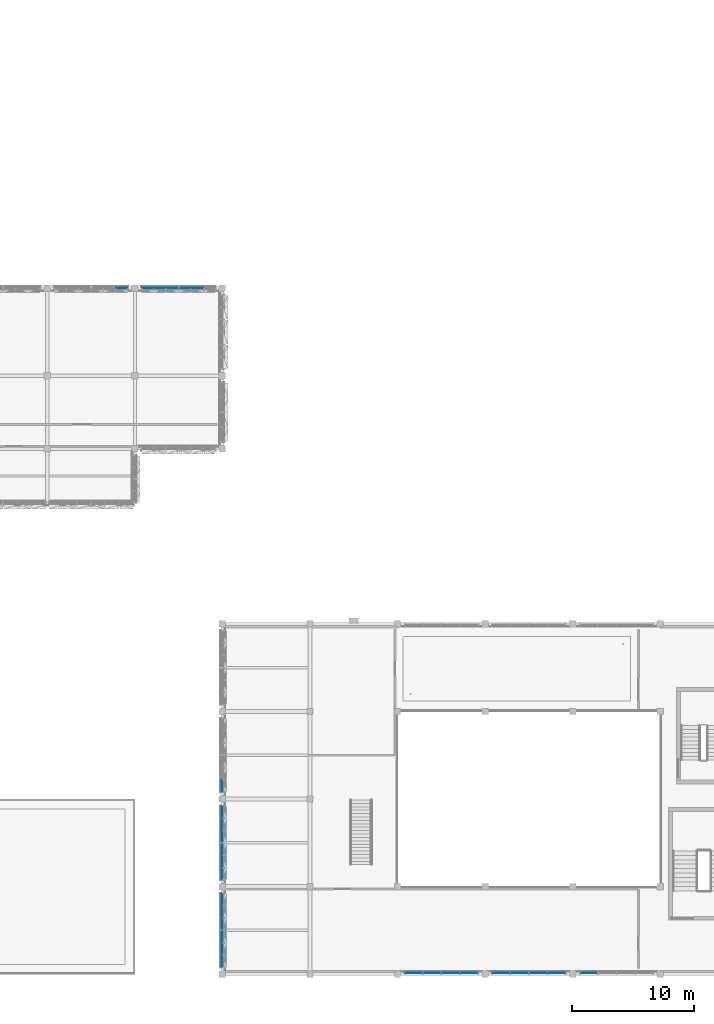
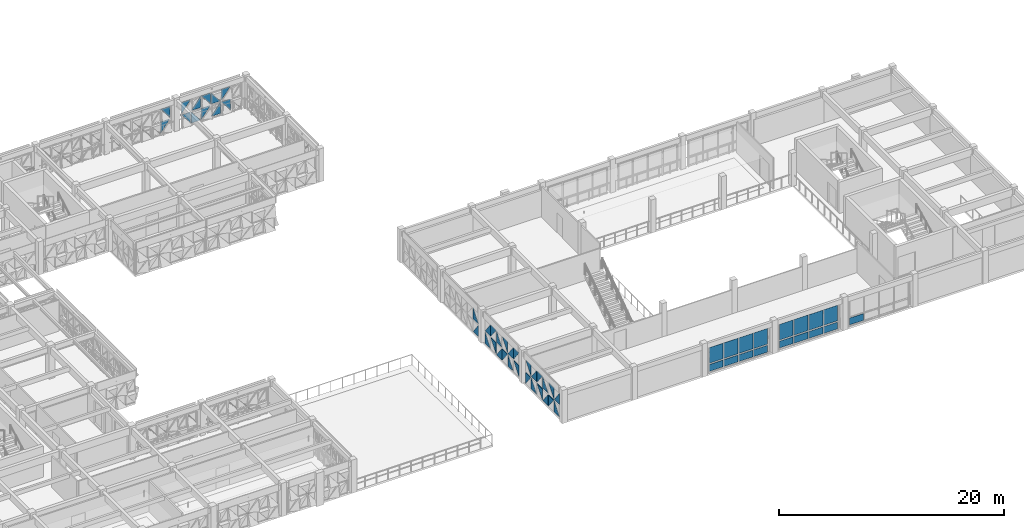
# One storey, part 40 of 99: 55 plates, 8 elements without a shape of their own.
"""IFC4 building model written with IfcOpenShell, lengths in metres."""

from ifc_helpers import new_model, si_unit, direction, frame, origin, origin_2d, place, context, subcontext, project, spatial, polyline, rectangle, outline, extrude, material, layer, layer_set, type_object, element, aggregate, save


model = new_model("IFC4")

# Units and contexts
model_context = context("Model", 3, precision=1e-05, world=origin(), true_north=direction((0.0, 1.0)))
body_context = subcontext(model_context, "Body", "Model", "MODEL_VIEW")
ifc_project = project(units=[si_unit("LENGTHUNIT", "METRE"), si_unit("AREAUNIT", "SQUARE_METRE"), si_unit("VOLUMEUNIT", "CUBIC_METRE"), si_unit("PLANEANGLEUNIT", "RADIAN"), si_unit("MASSUNIT", "GRAM", prefix="KILO")], contexts=[model_context])

# Site, building, storey
site_placement = place(None, origin())
site = spatial("IfcSite", under=ifc_project, at=site_placement, CompositionType="ELEMENT")
building_placement = place(site_placement, origin())
building = spatial("IfcBuilding", under=site, at=building_placement, Name="Alvorim Cloister Faculty of Sciences", CompositionType="ELEMENT")
storey_placement = place(building_placement, frame((0.0, 0.0, 12.14990234375)))
storey = spatial("IfcBuildingStorey", under=building, at=storey_placement, Name="L03", CompositionType="ELEMENT", Elevation=12.14990234375)

# Curtain wall, plates
ifc_material_1 = material(Name="Aluminium and Low-E Glass Curtain Wall", Category="aluminium")
curtain_wall_type_1 = type_object("IfcCurtainWallType", Name="CW-GLZ-6120x2850", PredefinedType="USERDEFINED", material=ifc_material_1)
curtain_wall_1_placement = place(storey_placement, origin())
curtain_wall_1 = element("IfcCurtainWall", 1, at=curtain_wall_1_placement, inside=storey, type_object=curtain_wall_type_1, Name="L03 Entrance and Atrium Glazed Curtain Wall CW-0156", ObjectType="UNITISED CURTAIN WALL", PredefinedType="USERDEFINED")
ifc_material_2 = material(Name="Double Low-E Laminated Glass", Category="glass")
ifc_layer_1 = layer(ifc_material_2, 0.031982421875)
ifc_layer_set_1 = layer_set([ifc_layer_1], Name="Double Low-E Laminated Glass")
plate_type_1 = type_object("IfcPlateType", Name="PN-GLZ-32", PredefinedType="CURTAIN_PANEL", material=ifc_layer_set_1)
plate_1_placement = place(storey_placement, frame((87.72119140625, 0.090087890625, 0.14013671875), z_axis=(0.0, 0.0, 1.0), x_axis=(1.0, 0.0, 0.0)))
plate_1 = element("IfcPlate", 2, at=plate_1_placement, type_object=plate_type_1, Name="CW-10 panel 1.1", PredefinedType="CURTAIN_PANEL", context=body_context, shape_type="SweptSolid", body=[
    extrude(rectangle(XDim=1.4326171875, YDim=0.031982421875, at=origin_2d()), origin(), (0.0, 0.0, 1.0), 0.739990234375),
])
plate_2_placement = place(storey_placement, frame((87.72119140625, 0.090087890625, 1.02001953125), z_axis=(0.0, 0.0, 1.0), x_axis=(1.0, 0.0, 0.0)))
plate_2 = element("IfcPlate", 3, at=plate_2_placement, type_object=plate_type_1, Name="CW-10 panel 1.2", PredefinedType="CURTAIN_PANEL", context=body_context, shape_type="SweptSolid", body=[
    extrude(rectangle(XDim=1.4326171875, YDim=0.031982421875, at=origin_2d()), origin(), (0.0, 0.0, 1.0), 1.68994140625),
])
plate_3_placement = place(storey_placement, frame((89.235107421875, 0.090087890625, 0.14013671875), z_axis=(0.0, 0.0, 1.0), x_axis=(1.0, 0.0, 0.0)))
plate_3 = element("IfcPlate", 4, at=plate_3_placement, type_object=plate_type_1, Name="CW-10 panel 2.1", PredefinedType="CURTAIN_PANEL", context=body_context, shape_type="SweptSolid", body=[
    extrude(rectangle(XDim=1.465087890625, YDim=0.031982421875, at=origin_2d()), origin(), (0.0, 0.0, 1.0), 0.739990234375),
])
plate_4_placement = place(storey_placement, frame((89.235107421875, 0.090087890625, 1.02001953125), z_axis=(0.0, 0.0, 1.0), x_axis=(1.0, 0.0, 0.0)))
plate_4 = element("IfcPlate", 5, at=plate_4_placement, type_object=plate_type_1, Name="CW-10 panel 2.2", PredefinedType="CURTAIN_PANEL", context=body_context, shape_type="SweptSolid", body=[
    extrude(rectangle(XDim=1.465087890625, YDim=0.031982421875, at=origin_2d()), origin(), (0.0, 0.0, 1.0), 1.68994140625),
])
plate_5_placement = place(storey_placement, frame((90.764892578125, 0.090087890625, 0.14013671875), z_axis=(0.0, 0.0, 1.0), x_axis=(1.0, 0.0, 0.0)))
plate_5 = element("IfcPlate", 6, at=plate_5_placement, type_object=plate_type_1, Name="CW-10 panel 3.1", PredefinedType="CURTAIN_PANEL", context=body_context, shape_type="SweptSolid", body=[
    extrude(rectangle(XDim=1.465087890625, YDim=0.031982421875, at=origin_2d()), origin(), (0.0, 0.0, 1.0), 0.739990234375),
])
plate_6_placement = place(storey_placement, frame((90.764892578125, 0.090087890625, 1.02001953125), z_axis=(0.0, 0.0, 1.0), x_axis=(1.0, 0.0, 0.0)))
plate_6 = element("IfcPlate", 7, at=plate_6_placement, type_object=plate_type_1, Name="CW-10 panel 3.2", PredefinedType="CURTAIN_PANEL", context=body_context, shape_type="SweptSolid", body=[
    extrude(rectangle(XDim=1.465087890625, YDim=0.031982421875, at=origin_2d()), origin(), (0.0, 0.0, 1.0), 1.68994140625),
])
plate_7_placement = place(storey_placement, frame((92.27880859375, 0.090087890625, 0.14013671875), z_axis=(0.0, 0.0, 1.0), x_axis=(1.0, 0.0, 0.0)))
plate_7 = element("IfcPlate", 8, at=plate_7_placement, type_object=plate_type_1, Name="CW-10 panel 4.1", PredefinedType="CURTAIN_PANEL", context=body_context, shape_type="SweptSolid", body=[
    extrude(rectangle(XDim=1.4326171875, YDim=0.031982421875, at=origin_2d()), origin(), (0.0, 0.0, 1.0), 0.739990234375),
])
plate_8_placement = place(storey_placement, frame((92.27880859375, 0.090087890625, 1.02001953125), z_axis=(0.0, 0.0, 1.0), x_axis=(1.0, 0.0, 0.0)))
plate_8 = element("IfcPlate", 9, at=plate_8_placement, type_object=plate_type_1, Name="CW-10 panel 4.2", PredefinedType="CURTAIN_PANEL", context=body_context, shape_type="SweptSolid", body=[
    extrude(rectangle(XDim=1.4326171875, YDim=0.031982421875, at=origin_2d()), origin(), (0.0, 0.0, 1.0), 1.68994140625),
])
aggregate(curtain_wall_1, [plate_1, plate_2, plate_3, plate_4, plate_5, plate_6, plate_7, plate_8])

curtain_wall_type_2 = type_object("IfcCurtainWallType", Name="CW-TRI-6120x2850", PredefinedType="USERDEFINED", material=ifc_material_1)
curtain_wall_2_placement = place(storey_placement, origin())
curtain_wall_2 = element("IfcCurtainWall", 10, at=curtain_wall_2_placement, inside=storey, type_object=curtain_wall_type_2, Name="L03 Diagonal Cassette Curtain Wall CW-0128", ObjectType="UNITISED CURTAIN WALL", PredefinedType="USERDEFINED")
ifc_layer_2 = layer(ifc_material_2, 0.0400390625)
ifc_layer_set_2 = layer_set([ifc_layer_2], Name="Double Low-E Laminated Glass")
plate_type_2 = type_object("IfcPlateType", Name="PN-GLZ-40", PredefinedType="CURTAIN_PANEL", material=ifc_layer_set_2)
plate_9_placement = place(storey_placement, frame((56.072509765625, 56.425048828125, 0.14013671875), z_axis=(0.0, 0.0, 1.0), x_axis=(1.0, 0.0, 0.0)))
plate_9 = element("IfcPlate", 11, at=plate_9_placement, type_object=plate_type_2, Name="Diagonal Glazed Triangle TRI-TL", PredefinedType="CURTAIN_PANEL", context=body_context, shape_type="SweptSolid", body=[
    extrude(outline(polyline([(0.920654296875, 1.21484375), (0.0, 1.21484375), (0.0, 0.001953125), (0.920654296875, 1.21484375)])), frame((0.0, 0.02490234375, 0.0), z_axis=(0.0, -1.0, 0.0), x_axis=(1.0, 0.0, 0.0)), (0.0, 0.0, 1.0), 0.050048828125),
])
plate_10_placement = place(storey_placement, frame((56.072509765625, 56.425048828125, 1.4951171875), z_axis=(0.0, 0.0, 1.0), x_axis=(1.0, 0.0, 0.0)))
plate_10 = element("IfcPlate", 12, at=plate_10_placement, type_object=plate_type_2, Name="Diagonal Glazed Triangle TRI-TR", PredefinedType="CURTAIN_PANEL", context=body_context, shape_type="SweptSolid", body=[
    extrude(outline(polyline([(0.922607421875, 0.001953125), (0.922607421875, 1.215087890625), (0.001953125, 1.215087890625), (0.922607421875, 0.001953125)])), frame((0.0, 0.02490234375, 0.0), z_axis=(0.0, -1.0, 0.0), x_axis=(1.0, 0.0, 0.0)), (0.0, 0.0, 1.0), 0.050048828125),
])
aggregate(curtain_wall_2, [plate_9, plate_10])

curtain_wall_3_placement = place(storey_placement, origin())
curtain_wall_3 = element("IfcCurtainWall", 13, at=curtain_wall_3_placement, inside=storey, type_object=curtain_wall_type_2, Name="L03 Diagonal Cassette Curtain Wall CW-0129", ObjectType="UNITISED CURTAIN WALL", PredefinedType="USERDEFINED")
plate_11_placement = place(storey_placement, frame((58.205078125, 56.425048828125, 0.14013671875), z_axis=(0.0, 0.0, 1.0), x_axis=(1.0, 0.0, 0.0)))
plate_11 = element("IfcPlate", 14, at=plate_11_placement, type_object=plate_type_2, Name="Diagonal Glazed Triangle TRI-TR", PredefinedType="CURTAIN_PANEL", context=body_context, shape_type="SweptSolid", body=[
    extrude(outline(polyline([(0.922607421875, 0.001953125), (0.922607421875, 1.21484375), (0.001953125, 1.21484375), (0.922607421875, 0.001953125)])), frame((0.0, 0.02490234375, 0.0), z_axis=(0.0, -1.0, 0.0), x_axis=(1.0, 0.0, 0.0)), (0.0, 0.0, 1.0), 0.050048828125),
])
plate_12_placement = place(storey_placement, frame((58.205078125, 56.425048828125, 1.4951171875), z_axis=(0.0, 0.0, 1.0), x_axis=(1.0, 0.0, 0.0)))
plate_12 = element("IfcPlate", 15, at=plate_12_placement, type_object=plate_type_2, Name="Diagonal Glazed Triangle TRI-TL", PredefinedType="CURTAIN_PANEL", context=body_context, shape_type="SweptSolid", body=[
    extrude(outline(polyline([(0.920654296875, 1.215087890625), (0.0, 1.215087890625), (0.0, 0.001953125), (0.920654296875, 1.215087890625)])), frame((0.0, 0.02490234375, 0.0), z_axis=(0.0, -1.0, 0.0), x_axis=(1.0, 0.0, 0.0)), (0.0, 0.0, 1.0), 0.050048828125),
])
plate_13_placement = place(storey_placement, frame((59.1923828125, 56.425048828125, 0.14013671875), z_axis=(0.0, 0.0, 1.0), x_axis=(1.0, 0.0, 0.0)))
plate_13 = element("IfcPlate", 16, at=plate_13_placement, type_object=plate_type_2, Name="Diagonal Glazed Triangle TRI-BL", PredefinedType="CURTAIN_PANEL", context=body_context, shape_type="SweptSolid", body=[
    extrude(outline(polyline([(0.0, 0.0), (0.953125, 0.0), (0.0, 1.212890625), (0.0, 0.0)])), frame((0.0, 0.02490234375, 0.0), z_axis=(0.0, -1.0, 0.0), x_axis=(1.0, 0.0, 0.0)), (0.0, 0.0, 1.0), 0.050048828125),
])
plate_14_placement = place(storey_placement, frame((59.1923828125, 56.425048828125, 1.4951171875), z_axis=(0.0, 0.0, 1.0), x_axis=(1.0, 0.0, 0.0)))
plate_14 = element("IfcPlate", 17, at=plate_14_placement, type_object=plate_type_2, Name="Diagonal Glazed Triangle TRI-BR", PredefinedType="CURTAIN_PANEL", context=body_context, shape_type="SweptSolid", body=[
    extrude(outline(polyline([(0.001953125, 0.0), (0.955078125, 0.0), (0.955078125, 1.213134765625), (0.001953125, 0.0)])), frame((0.0, 0.02490234375, 0.0), z_axis=(0.0, -1.0, 0.0), x_axis=(1.0, 0.0, 0.0)), (0.0, 0.0, 1.0), 0.050048828125),
])
plate_15_placement = place(storey_placement, frame((60.21240234375, 56.425048828125, 0.14013671875), z_axis=(0.0, 0.0, 1.0), x_axis=(1.0, 0.0, 0.0)))
plate_15 = element("IfcPlate", 18, at=plate_15_placement, type_object=plate_type_2, Name="Diagonal Glazed Triangle TRI-TL", PredefinedType="CURTAIN_PANEL", context=body_context, shape_type="SweptSolid", body=[
    extrude(outline(polyline([(0.953125, 1.21484375), (0.0, 1.21484375), (0.0, 0.001953125), (0.953125, 1.21484375)])), frame((0.0, 0.02490234375, 0.0), z_axis=(0.0, -1.0, 0.0), x_axis=(1.0, 0.0, 0.0)), (0.0, 0.0, 1.0), 0.050048828125),
])
plate_16_placement = place(storey_placement, frame((60.21240234375, 56.425048828125, 1.4951171875), z_axis=(0.0, 0.0, 1.0), x_axis=(1.0, 0.0, 0.0)))
plate_16 = element("IfcPlate", 19, at=plate_16_placement, type_object=plate_type_2, Name="Diagonal Glazed Triangle TRI-TR", PredefinedType="CURTAIN_PANEL", context=body_context, shape_type="SweptSolid", body=[
    extrude(outline(polyline([(0.955078125, 0.001953125), (0.955078125, 1.215087890625), (0.001953125, 1.215087890625), (0.955078125, 0.001953125)])), frame((0.0, 0.02490234375, 0.0), z_axis=(0.0, -1.0, 0.0), x_axis=(1.0, 0.0, 0.0)), (0.0, 0.0, 1.0), 0.050048828125),
])
plate_17_placement = place(storey_placement, frame((61.232421875, 56.425048828125, 0.14013671875), z_axis=(0.0, 0.0, 1.0), x_axis=(1.0, 0.0, 0.0)))
plate_17 = element("IfcPlate", 20, at=plate_17_placement, type_object=plate_type_2, Name="Diagonal Glazed Triangle TRI-BR", PredefinedType="CURTAIN_PANEL", context=body_context, shape_type="SweptSolid", body=[
    extrude(outline(polyline([(0.001953125, 0.0), (0.955078125, 0.0), (0.955078125, 1.212890625), (0.001953125, 0.0)])), frame((0.0, 0.02490234375, 0.0), z_axis=(0.0, -1.0, 0.0), x_axis=(1.0, 0.0, 0.0)), (0.0, 0.0, 1.0), 0.050048828125),
])
plate_18_placement = place(storey_placement, frame((61.232421875, 56.425048828125, 1.4951171875), z_axis=(0.0, 0.0, 1.0), x_axis=(1.0, 0.0, 0.0)))
plate_18 = element("IfcPlate", 21, at=plate_18_placement, type_object=plate_type_2, Name="Diagonal Glazed Triangle TRI-BL", PredefinedType="CURTAIN_PANEL", context=body_context, shape_type="SweptSolid", body=[
    extrude(outline(polyline([(0.0, 0.0), (0.953125, 0.0), (0.0, 1.213134765625), (0.0, 0.0)])), frame((0.0, 0.02490234375, 0.0), z_axis=(0.0, -1.0, 0.0), x_axis=(1.0, 0.0, 0.0)), (0.0, 0.0, 1.0), 0.050048828125),
])
plate_19_placement = place(storey_placement, frame((62.25244140625, 56.425048828125, 0.14013671875), z_axis=(0.0, 0.0, 1.0), x_axis=(1.0, 0.0, 0.0)))
plate_19 = element("IfcPlate", 22, at=plate_19_placement, type_object=plate_type_2, Name="Diagonal Glazed Triangle TRI-TR", PredefinedType="CURTAIN_PANEL", context=body_context, shape_type="SweptSolid", body=[
    extrude(outline(polyline([(0.955078125, 0.001953125), (0.955078125, 1.21484375), (0.001953125, 1.21484375), (0.955078125, 0.001953125)])), frame((0.0, 0.02490234375, 0.0), z_axis=(0.0, -1.0, 0.0), x_axis=(1.0, 0.0, 0.0)), (0.0, 0.0, 1.0), 0.050048828125),
])
plate_20_placement = place(storey_placement, frame((62.25244140625, 56.425048828125, 1.4951171875), z_axis=(0.0, 0.0, 1.0), x_axis=(1.0, 0.0, 0.0)))
plate_20 = element("IfcPlate", 23, at=plate_20_placement, type_object=plate_type_2, Name="Diagonal Glazed Triangle TRI-TL", PredefinedType="CURTAIN_PANEL", context=body_context, shape_type="SweptSolid", body=[
    extrude(outline(polyline([(0.953125, 1.215087890625), (0.0, 1.215087890625), (0.0, 0.001953125), (0.953125, 1.215087890625)])), frame((0.0, 0.02490234375, 0.0), z_axis=(0.0, -1.0, 0.0), x_axis=(1.0, 0.0, 0.0)), (0.0, 0.0, 1.0), 0.050048828125),
])
aggregate(curtain_wall_3, [plate_11, plate_12, plate_13, plate_14, plate_15, plate_16, plate_17, plate_18, plate_19, plate_20])

# Curtain wall, plate
curtain_wall_4_placement = place(storey_placement, origin())
curtain_wall_4 = element("IfcCurtainWall", 24, at=curtain_wall_4_placement, inside=storey, type_object=curtain_wall_type_1, Name="L03 Entrance and Atrium Glazed Curtain Wall CW-0155", ObjectType="UNITISED CURTAIN WALL", PredefinedType="USERDEFINED")
plate_21_placement = place(storey_placement, frame((94.921142578125, 0.090087890625, 0.14013671875), z_axis=(0.0, 0.0, 1.0), x_axis=(1.0, 0.0, 0.0)))
plate_21 = element("IfcPlate", 25, at=plate_21_placement, type_object=plate_type_2, Name="CW-10 panel 1.1", PredefinedType="CURTAIN_PANEL", context=body_context, shape_type="SweptSolid", body=[
    extrude(rectangle(XDim=1.4326171875, YDim=0.0400390625, at=origin_2d()), origin(), (0.0, 0.0, 1.0), 0.739990234375),
])
aggregate(curtain_wall_4, [plate_21])

# Curtain wall, plates
curtain_wall_5_placement = place(storey_placement, origin())
curtain_wall_5 = element("IfcCurtainWall", 26, at=curtain_wall_5_placement, inside=storey, type_object=curtain_wall_type_1, Name="L03 Entrance and Atrium Glazed Curtain Wall CW-0157", ObjectType="UNITISED CURTAIN WALL", PredefinedType="USERDEFINED")
plate_22_placement = place(storey_placement, frame((80.521240234375, 0.090087890625, 0.14013671875), z_axis=(0.0, 0.0, 1.0), x_axis=(1.0, 0.0, 0.0)))
plate_22 = element("IfcPlate", 27, at=plate_22_placement, type_object=plate_type_2, Name="CW-10 panel 1.1", PredefinedType="CURTAIN_PANEL", context=body_context, shape_type="SweptSolid", body=[
    extrude(rectangle(XDim=1.4326171875, YDim=0.0400390625, at=origin_2d()), origin(), (0.0, 0.0, 1.0), 0.739990234375),
])
plate_23_placement = place(storey_placement, frame((80.521240234375, 0.090087890625, 1.02001953125), z_axis=(0.0, 0.0, 1.0), x_axis=(1.0, 0.0, 0.0)))
plate_23 = element("IfcPlate", 28, at=plate_23_placement, type_object=plate_type_2, Name="CW-10 panel 1.2", PredefinedType="CURTAIN_PANEL", context=body_context, shape_type="SweptSolid", body=[
    extrude(rectangle(XDim=1.4326171875, YDim=0.0400390625, at=origin_2d()), origin(), (0.0, 0.0, 1.0), 1.68994140625),
])
plate_24_placement = place(storey_placement, frame((82.034912109375, 0.090087890625, 0.14013671875), z_axis=(0.0, 0.0, 1.0), x_axis=(1.0, 0.0, 0.0)))
plate_24 = element("IfcPlate", 29, at=plate_24_placement, type_object=plate_type_2, Name="CW-10 panel 2.1", PredefinedType="CURTAIN_PANEL", context=body_context, shape_type="SweptSolid", body=[
    extrude(rectangle(XDim=1.465087890625, YDim=0.0400390625, at=origin_2d()), origin(), (0.0, 0.0, 1.0), 0.739990234375),
])
plate_25_placement = place(storey_placement, frame((82.034912109375, 0.090087890625, 1.02001953125), z_axis=(0.0, 0.0, 1.0), x_axis=(1.0, 0.0, 0.0)))
plate_25 = element("IfcPlate", 30, at=plate_25_placement, type_object=plate_type_2, Name="CW-10 panel 2.2", PredefinedType="CURTAIN_PANEL", context=body_context, shape_type="SweptSolid", body=[
    extrude(rectangle(XDim=1.465087890625, YDim=0.0400390625, at=origin_2d()), origin(), (0.0, 0.0, 1.0), 1.68994140625),
])
plate_26_placement = place(storey_placement, frame((83.56494140625, 0.090087890625, 0.14013671875), z_axis=(0.0, 0.0, 1.0), x_axis=(1.0, 0.0, 0.0)))
plate_26 = element("IfcPlate", 31, at=plate_26_placement, type_object=plate_type_2, Name="CW-10 panel 3.1", PredefinedType="CURTAIN_PANEL", context=body_context, shape_type="SweptSolid", body=[
    extrude(rectangle(XDim=1.465087890625, YDim=0.0400390625, at=origin_2d()), origin(), (0.0, 0.0, 1.0), 0.739990234375),
])
plate_27_placement = place(storey_placement, frame((83.56494140625, 0.090087890625, 1.02001953125), z_axis=(0.0, 0.0, 1.0), x_axis=(1.0, 0.0, 0.0)))
plate_27 = element("IfcPlate", 32, at=plate_27_placement, type_object=plate_type_2, Name="CW-10 panel 3.2", PredefinedType="CURTAIN_PANEL", context=body_context, shape_type="SweptSolid", body=[
    extrude(rectangle(XDim=1.465087890625, YDim=0.0400390625, at=origin_2d()), origin(), (0.0, 0.0, 1.0), 1.68994140625),
])
plate_28_placement = place(storey_placement, frame((85.078857421875, 0.090087890625, 0.14013671875), z_axis=(0.0, 0.0, 1.0), x_axis=(1.0, 0.0, 0.0)))
plate_28 = element("IfcPlate", 33, at=plate_28_placement, type_object=plate_type_2, Name="CW-10 panel 4.1", PredefinedType="CURTAIN_PANEL", context=body_context, shape_type="SweptSolid", body=[
    extrude(rectangle(XDim=1.4326171875, YDim=0.0400390625, at=origin_2d()), origin(), (0.0, 0.0, 1.0), 0.739990234375),
])
plate_29_placement = place(storey_placement, frame((85.078857421875, 0.090087890625, 1.02001953125), z_axis=(0.0, 0.0, 1.0), x_axis=(1.0, 0.0, 0.0)))
plate_29 = element("IfcPlate", 34, at=plate_29_placement, type_object=plate_type_2, Name="CW-10 panel 4.2", PredefinedType="CURTAIN_PANEL", context=body_context, shape_type="SweptSolid", body=[
    extrude(rectangle(XDim=1.4326171875, YDim=0.0400390625, at=origin_2d()), origin(), (0.0, 0.0, 1.0), 1.68994140625),
])
aggregate(curtain_wall_5, [plate_22, plate_23, plate_24, plate_25, plate_26, plate_27, plate_28, plate_29])

curtain_wall_6_placement = place(storey_placement, origin())
curtain_wall_6 = element("IfcCurtainWall", 35, at=curtain_wall_6_placement, inside=storey, type_object=curtain_wall_type_2, Name="L03 Diagonal Cassette Curtain Wall CW-0158", ObjectType="UNITISED CURTAIN WALL", PredefinedType="USERDEFINED")
plate_30_placement = place(storey_placement, frame((64.77490234375, 0.60498046875, 0.14013671875), z_axis=(0.0, 0.0, 1.0), x_axis=(0.0, 1.0, 0.0)))
plate_30 = element("IfcPlate", 36, at=plate_30_placement, type_object=plate_type_2, Name="Diagonal Glazed Triangle TRI-BR", PredefinedType="CURTAIN_PANEL", context=body_context, shape_type="SweptSolid", body=[
    extrude(outline(polyline([(0.001953125, 0.0), (0.922607421875, 0.0), (0.922607421875, 1.212890625), (0.001953125, 0.0)])), frame((0.0, 0.02490234375, 0.0), z_axis=(0.0, -1.0, 0.0), x_axis=(1.0, 0.0, 0.0)), (0.0, 0.0, 1.0), 0.050048828125),
])
plate_31_placement = place(storey_placement, frame((64.77490234375, 0.60498046875, 1.4951171875), z_axis=(0.0, 0.0, 1.0), x_axis=(0.0, 1.0, 0.0)))
plate_31 = element("IfcPlate", 37, at=plate_31_placement, type_object=plate_type_2, Name="Diagonal Glazed Triangle TRI-BL", PredefinedType="CURTAIN_PANEL", context=body_context, shape_type="SweptSolid", body=[
    extrude(outline(polyline([(0.0, 0.0), (0.920654296875, 0.0), (0.0, 1.213134765625), (0.0, 0.0)])), frame((0.0, 0.02490234375, 0.0), z_axis=(0.0, -1.0, 0.0), x_axis=(1.0, 0.0, 0.0)), (0.0, 0.0, 1.0), 0.050048828125),
])
plate_32_placement = place(storey_placement, frame((64.77490234375, 1.592529296875, 0.14013671875), z_axis=(0.0, 0.0, 1.0), x_axis=(0.0, 1.0, 0.0)))
plate_32 = element("IfcPlate", 38, at=plate_32_placement, type_object=plate_type_2, Name="Diagonal Glazed Triangle TRI-TR", PredefinedType="CURTAIN_PANEL", context=body_context, shape_type="SweptSolid", body=[
    extrude(outline(polyline([(0.955078125, 0.001953125), (0.955078125, 1.21484375), (0.001953125, 1.21484375), (0.955078125, 0.001953125)])), frame((0.0, 0.02490234375, 0.0), z_axis=(0.0, -1.0, 0.0), x_axis=(1.0, 0.0, 0.0)), (0.0, 0.0, 1.0), 0.050048828125),
])
plate_33_placement = place(storey_placement, frame((64.77490234375, 1.592529296875, 1.4951171875), z_axis=(0.0, 0.0, 1.0), x_axis=(0.0, 1.0, 0.0)))
plate_33 = element("IfcPlate", 39, at=plate_33_placement, type_object=plate_type_2, Name="Diagonal Glazed Triangle TRI-TL", PredefinedType="CURTAIN_PANEL", context=body_context, shape_type="SweptSolid", body=[
    extrude(outline(polyline([(0.953125, 1.215087890625), (0.0, 1.215087890625), (0.0, 0.001953125), (0.953125, 1.215087890625)])), frame((0.0, 0.02490234375, 0.0), z_axis=(0.0, -1.0, 0.0), x_axis=(1.0, 0.0, 0.0)), (0.0, 0.0, 1.0), 0.050048828125),
])
plate_34_placement = place(storey_placement, frame((64.77490234375, 2.612548828125, 0.14013671875), z_axis=(0.0, 0.0, 1.0), x_axis=(0.0, 1.0, 0.0)))
plate_34 = element("IfcPlate", 40, at=plate_34_placement, type_object=plate_type_2, Name="Diagonal Glazed Triangle TRI-BL", PredefinedType="CURTAIN_PANEL", context=body_context, shape_type="SweptSolid", body=[
    extrude(outline(polyline([(0.0, 0.0), (0.953125, 0.0), (0.0, 1.212890625), (0.0, 0.0)])), frame((0.0, 0.02490234375, 0.0), z_axis=(0.0, -1.0, 0.0), x_axis=(1.0, 0.0, 0.0)), (0.0, 0.0, 1.0), 0.050048828125),
])
plate_35_placement = place(storey_placement, frame((64.77490234375, 2.612548828125, 1.4951171875), z_axis=(0.0, 0.0, 1.0), x_axis=(0.0, 1.0, 0.0)))
plate_35 = element("IfcPlate", 41, at=plate_35_placement, type_object=plate_type_2, Name="Diagonal Glazed Triangle TRI-BR", PredefinedType="CURTAIN_PANEL", context=body_context, shape_type="SweptSolid", body=[
    extrude(outline(polyline([(0.001953125, 0.0), (0.955078125, 0.0), (0.955078125, 1.213134765625), (0.001953125, 0.0)])), frame((0.0, 0.02490234375, 0.0), z_axis=(0.0, -1.0, 0.0), x_axis=(1.0, 0.0, 0.0)), (0.0, 0.0, 1.0), 0.050048828125),
])
plate_36_placement = place(storey_placement, frame((64.77490234375, 3.632568359375, 0.14013671875), z_axis=(0.0, 0.0, 1.0), x_axis=(0.0, 1.0, 0.0)))
plate_36 = element("IfcPlate", 42, at=plate_36_placement, type_object=plate_type_2, Name="Diagonal Glazed Triangle TRI-TL", PredefinedType="CURTAIN_PANEL", context=body_context, shape_type="SweptSolid", body=[
    extrude(outline(polyline([(0.953125, 1.21484375), (0.0, 1.21484375), (0.0, 0.001953125), (0.953125, 1.21484375)])), frame((0.0, 0.02490234375, 0.0), z_axis=(0.0, -1.0, 0.0), x_axis=(1.0, 0.0, 0.0)), (0.0, 0.0, 1.0), 0.050048828125),
])
plate_37_placement = place(storey_placement, frame((64.77490234375, 3.632568359375, 1.4951171875), z_axis=(0.0, 0.0, 1.0), x_axis=(0.0, 1.0, 0.0)))
plate_37 = element("IfcPlate", 43, at=plate_37_placement, type_object=plate_type_2, Name="Diagonal Glazed Triangle TRI-TR", PredefinedType="CURTAIN_PANEL", context=body_context, shape_type="SweptSolid", body=[
    extrude(outline(polyline([(0.955078125, 0.001953125), (0.955078125, 1.215087890625), (0.001953125, 1.215087890625), (0.955078125, 0.001953125)])), frame((0.0, 0.02490234375, 0.0), z_axis=(0.0, -1.0, 0.0), x_axis=(1.0, 0.0, 0.0)), (0.0, 0.0, 1.0), 0.050048828125),
])
plate_38_placement = place(storey_placement, frame((64.77490234375, 4.652587890625, 0.14013671875), z_axis=(0.0, 0.0, 1.0), x_axis=(0.0, 1.0, 0.0)))
plate_38 = element("IfcPlate", 44, at=plate_38_placement, type_object=plate_type_2, Name="Diagonal Glazed Triangle TRI-BR", PredefinedType="CURTAIN_PANEL", context=body_context, shape_type="SweptSolid", body=[
    extrude(outline(polyline([(0.001953125, 0.0), (0.955078125, 0.0), (0.955078125, 1.212890625), (0.001953125, 0.0)])), frame((0.0, 0.02490234375, 0.0), z_axis=(0.0, -1.0, 0.0), x_axis=(1.0, 0.0, 0.0)), (0.0, 0.0, 1.0), 0.050048828125),
])
plate_39_placement = place(storey_placement, frame((64.77490234375, 4.652587890625, 1.4951171875), z_axis=(0.0, 0.0, 1.0), x_axis=(0.0, 1.0, 0.0)))
plate_39 = element("IfcPlate", 45, at=plate_39_placement, type_object=plate_type_2, Name="Diagonal Glazed Triangle TRI-BL", PredefinedType="CURTAIN_PANEL", context=body_context, shape_type="SweptSolid", body=[
    extrude(outline(polyline([(0.0, 0.0), (0.953125, 0.0), (0.0, 1.213134765625), (0.0, 0.0)])), frame((0.0, 0.02490234375, 0.0), z_axis=(0.0, -1.0, 0.0), x_axis=(1.0, 0.0, 0.0)), (0.0, 0.0, 1.0), 0.050048828125),
])
plate_40_placement = place(storey_placement, frame((64.77490234375, 5.672607421875, 0.14013671875), z_axis=(0.0, 0.0, 1.0), x_axis=(0.0, 1.0, 0.0)))
plate_40 = element("IfcPlate", 46, at=plate_40_placement, type_object=plate_type_2, Name="Diagonal Glazed Triangle TRI-TR", PredefinedType="CURTAIN_PANEL", context=body_context, shape_type="SweptSolid", body=[
    extrude(outline(polyline([(0.922607421875, 0.001953125), (0.922607421875, 1.21484375), (0.001953125, 1.21484375), (0.922607421875, 0.001953125)])), frame((0.0, 0.02490234375, 0.0), z_axis=(0.0, -1.0, 0.0), x_axis=(1.0, 0.0, 0.0)), (0.0, 0.0, 1.0), 0.050048828125),
])
plate_41_placement = place(storey_placement, frame((64.77490234375, 5.672607421875, 1.4951171875), z_axis=(0.0, 0.0, 1.0), x_axis=(0.0, 1.0, 0.0)))
plate_41 = element("IfcPlate", 47, at=plate_41_placement, type_object=plate_type_2, Name="Diagonal Glazed Triangle TRI-TL", PredefinedType="CURTAIN_PANEL", context=body_context, shape_type="SweptSolid", body=[
    extrude(outline(polyline([(0.920654296875, 1.215087890625), (0.0, 1.215087890625), (0.0, 0.001953125), (0.920654296875, 1.215087890625)])), frame((0.0, 0.02490234375, 0.0), z_axis=(0.0, -1.0, 0.0), x_axis=(1.0, 0.0, 0.0)), (0.0, 0.0, 1.0), 0.050048828125),
])
aggregate(curtain_wall_6, [plate_30, plate_31, plate_32, plate_33, plate_34, plate_35, plate_36, plate_37, plate_38, plate_39, plate_40, plate_41])

curtain_wall_7_placement = place(storey_placement, origin())
curtain_wall_7 = element("IfcCurtainWall", 48, at=curtain_wall_7_placement, inside=storey, type_object=curtain_wall_type_2, Name="L03 Diagonal Cassette Curtain Wall CW-0159", ObjectType="UNITISED CURTAIN WALL", PredefinedType="USERDEFINED")
plate_42_placement = place(storey_placement, frame((64.77490234375, 7.804931640625, 0.14013671875), z_axis=(0.0, 0.0, 1.0), x_axis=(0.0, 1.0, 0.0)))
plate_42 = element("IfcPlate", 49, at=plate_42_placement, type_object=plate_type_2, Name="Diagonal Glazed Triangle TRI-TL", PredefinedType="CURTAIN_PANEL", context=body_context, shape_type="SweptSolid", body=[
    extrude(outline(polyline([(0.920654296875, 1.21484375), (0.0, 1.21484375), (0.0, 0.001953125), (0.920654296875, 1.21484375)])), frame((0.0, 0.02490234375, 0.0), z_axis=(0.0, -1.0, 0.0), x_axis=(1.0, 0.0, 0.0)), (0.0, 0.0, 1.0), 0.050048828125),
])
plate_43_placement = place(storey_placement, frame((64.77490234375, 7.804931640625, 1.4951171875), z_axis=(0.0, 0.0, 1.0), x_axis=(0.0, 1.0, 0.0)))
plate_43 = element("IfcPlate", 50, at=plate_43_placement, type_object=plate_type_2, Name="Diagonal Glazed Triangle TRI-TR", PredefinedType="CURTAIN_PANEL", context=body_context, shape_type="SweptSolid", body=[
    extrude(outline(polyline([(0.922607421875, 0.001953125), (0.922607421875, 1.215087890625), (0.001953125, 1.215087890625), (0.922607421875, 0.001953125)])), frame((0.0, 0.02490234375, 0.0), z_axis=(0.0, -1.0, 0.0), x_axis=(1.0, 0.0, 0.0)), (0.0, 0.0, 1.0), 0.050048828125),
])
plate_44_placement = place(storey_placement, frame((64.77490234375, 8.79248046875, 0.14013671875), z_axis=(0.0, 0.0, 1.0), x_axis=(0.0, 1.0, 0.0)))
plate_44 = element("IfcPlate", 51, at=plate_44_placement, type_object=plate_type_2, Name="Diagonal Glazed Triangle TRI-BR", PredefinedType="CURTAIN_PANEL", context=body_context, shape_type="SweptSolid", body=[
    extrude(outline(polyline([(0.001953125, 0.0), (0.955078125, 0.0), (0.955078125, 1.212890625), (0.001953125, 0.0)])), frame((0.0, 0.02490234375, 0.0), z_axis=(0.0, -1.0, 0.0), x_axis=(1.0, 0.0, 0.0)), (0.0, 0.0, 1.0), 0.050048828125),
])
plate_45_placement = place(storey_placement, frame((64.77490234375, 8.79248046875, 1.4951171875), z_axis=(0.0, 0.0, 1.0), x_axis=(0.0, 1.0, 0.0)))
plate_45 = element("IfcPlate", 52, at=plate_45_placement, type_object=plate_type_2, Name="Diagonal Glazed Triangle TRI-BL", PredefinedType="CURTAIN_PANEL", context=body_context, shape_type="SweptSolid", body=[
    extrude(outline(polyline([(0.0, 0.0), (0.953125, 0.0), (0.0, 1.213134765625), (0.0, 0.0)])), frame((0.0, 0.02490234375, 0.0), z_axis=(0.0, -1.0, 0.0), x_axis=(1.0, 0.0, 0.0)), (0.0, 0.0, 1.0), 0.050048828125),
])
plate_46_placement = place(storey_placement, frame((64.77490234375, 9.8125, 0.14013671875), z_axis=(0.0, 0.0, 1.0), x_axis=(0.0, 1.0, 0.0)))
plate_46 = element("IfcPlate", 53, at=plate_46_placement, type_object=plate_type_2, Name="Diagonal Glazed Triangle TRI-TR", PredefinedType="CURTAIN_PANEL", context=body_context, shape_type="SweptSolid", body=[
    extrude(outline(polyline([(0.955078125, 0.001953125), (0.955078125, 1.21484375), (0.001953125, 1.21484375), (0.955078125, 0.001953125)])), frame((0.0, 0.02490234375, 0.0), z_axis=(0.0, -1.0, 0.0), x_axis=(1.0, 0.0, 0.0)), (0.0, 0.0, 1.0), 0.050048828125),
])
plate_47_placement = place(storey_placement, frame((64.77490234375, 9.8125, 1.4951171875), z_axis=(0.0, 0.0, 1.0), x_axis=(0.0, 1.0, 0.0)))
plate_47 = element("IfcPlate", 54, at=plate_47_placement, type_object=plate_type_2, Name="Diagonal Glazed Triangle TRI-TL", PredefinedType="CURTAIN_PANEL", context=body_context, shape_type="SweptSolid", body=[
    extrude(outline(polyline([(0.953125, 1.215087890625), (0.0, 1.215087890625), (0.0, 0.001953125), (0.953125, 1.215087890625)])), frame((0.0, 0.02490234375, 0.0), z_axis=(0.0, -1.0, 0.0), x_axis=(1.0, 0.0, 0.0)), (0.0, 0.0, 1.0), 0.050048828125),
])
plate_48_placement = place(storey_placement, frame((64.77490234375, 10.83251953125, 0.14013671875), z_axis=(0.0, 0.0, 1.0), x_axis=(0.0, 1.0, 0.0)))
plate_48 = element("IfcPlate", 55, at=plate_48_placement, type_object=plate_type_2, Name="Diagonal Glazed Triangle TRI-BL", PredefinedType="CURTAIN_PANEL", context=body_context, shape_type="SweptSolid", body=[
    extrude(outline(polyline([(0.0, 0.0), (0.953125, 0.0), (0.0, 1.212890625), (0.0, 0.0)])), frame((0.0, 0.02490234375, 0.0), z_axis=(0.0, -1.0, 0.0), x_axis=(1.0, 0.0, 0.0)), (0.0, 0.0, 1.0), 0.050048828125),
])
plate_49_placement = place(storey_placement, frame((64.77490234375, 10.83251953125, 1.4951171875), z_axis=(0.0, 0.0, 1.0), x_axis=(0.0, 1.0, 0.0)))
plate_49 = element("IfcPlate", 56, at=plate_49_placement, type_object=plate_type_2, Name="Diagonal Glazed Triangle TRI-BR", PredefinedType="CURTAIN_PANEL", context=body_context, shape_type="SweptSolid", body=[
    extrude(outline(polyline([(0.001953125, 0.0), (0.955078125, 0.0), (0.955078125, 1.213134765625), (0.001953125, 0.0)])), frame((0.0, 0.02490234375, 0.0), z_axis=(0.0, -1.0, 0.0), x_axis=(1.0, 0.0, 0.0)), (0.0, 0.0, 1.0), 0.050048828125),
])
plate_50_placement = place(storey_placement, frame((64.77490234375, 11.8525390625, 0.14013671875), z_axis=(0.0, 0.0, 1.0), x_axis=(0.0, 1.0, 0.0)))
plate_50 = element("IfcPlate", 57, at=plate_50_placement, type_object=plate_type_2, Name="Diagonal Glazed Triangle TRI-TL", PredefinedType="CURTAIN_PANEL", context=body_context, shape_type="SweptSolid", body=[
    extrude(outline(polyline([(0.953125, 1.21484375), (0.0, 1.21484375), (0.0, 0.001953125), (0.953125, 1.21484375)])), frame((0.0, 0.02490234375, 0.0), z_axis=(0.0, -1.0, 0.0), x_axis=(1.0, 0.0, 0.0)), (0.0, 0.0, 1.0), 0.050048828125),
])
plate_51_placement = place(storey_placement, frame((64.77490234375, 11.8525390625, 1.4951171875), z_axis=(0.0, 0.0, 1.0), x_axis=(0.0, 1.0, 0.0)))
plate_51 = element("IfcPlate", 58, at=plate_51_placement, type_object=plate_type_2, Name="Diagonal Glazed Triangle TRI-TR", PredefinedType="CURTAIN_PANEL", context=body_context, shape_type="SweptSolid", body=[
    extrude(outline(polyline([(0.955078125, 0.001953125), (0.955078125, 1.215087890625), (0.001953125, 1.215087890625), (0.955078125, 0.001953125)])), frame((0.0, 0.02490234375, 0.0), z_axis=(0.0, -1.0, 0.0), x_axis=(1.0, 0.0, 0.0)), (0.0, 0.0, 1.0), 0.050048828125),
])
plate_52_placement = place(storey_placement, frame((64.77490234375, 12.87255859375, 0.14013671875), z_axis=(0.0, 0.0, 1.0), x_axis=(0.0, 1.0, 0.0)))
plate_52 = element("IfcPlate", 59, at=plate_52_placement, type_object=plate_type_2, Name="Diagonal Glazed Triangle TRI-BR", PredefinedType="CURTAIN_PANEL", context=body_context, shape_type="SweptSolid", body=[
    extrude(outline(polyline([(0.001953125, 0.0), (0.922607421875, 0.0), (0.922607421875, 1.212890625), (0.001953125, 0.0)])), frame((0.0, 0.02490234375, 0.0), z_axis=(0.0, -1.0, 0.0), x_axis=(1.0, 0.0, 0.0)), (0.0, 0.0, 1.0), 0.050048828125),
])
plate_53_placement = place(storey_placement, frame((64.77490234375, 12.87255859375, 1.4951171875), z_axis=(0.0, 0.0, 1.0), x_axis=(0.0, 1.0, 0.0)))
plate_53 = element("IfcPlate", 60, at=plate_53_placement, type_object=plate_type_2, Name="Diagonal Glazed Triangle TRI-BL", PredefinedType="CURTAIN_PANEL", context=body_context, shape_type="SweptSolid", body=[
    extrude(outline(polyline([(0.0, 0.0), (0.920654296875, 0.0), (0.0, 1.213134765625), (0.0, 0.0)])), frame((0.0, 0.02490234375, 0.0), z_axis=(0.0, -1.0, 0.0), x_axis=(1.0, 0.0, 0.0)), (0.0, 0.0, 1.0), 0.050048828125),
])
aggregate(curtain_wall_7, [plate_42, plate_43, plate_44, plate_45, plate_46, plate_47, plate_48, plate_49, plate_50, plate_51, plate_52, plate_53])

curtain_wall_8_placement = place(storey_placement, origin())
curtain_wall_8 = element("IfcCurtainWall", 61, at=curtain_wall_8_placement, inside=storey, type_object=curtain_wall_type_2, Name="L03 Diagonal Cassette Curtain Wall CW-0160", ObjectType="UNITISED CURTAIN WALL", PredefinedType="USERDEFINED")
plate_54_placement = place(storey_placement, frame((64.77490234375, 15.0048828125, 0.14013671875), z_axis=(0.0, 0.0, 1.0), x_axis=(0.0, 1.0, 0.0)))
plate_54 = element("IfcPlate", 62, at=plate_54_placement, type_object=plate_type_2, Name="Diagonal Glazed Triangle TRI-BL", PredefinedType="CURTAIN_PANEL", context=body_context, shape_type="SweptSolid", body=[
    extrude(outline(polyline([(0.0, 0.0), (0.920654296875, 0.0), (0.0, 1.212890625), (0.0, 0.0)])), frame((0.0, 0.02490234375, 0.0), z_axis=(0.0, -1.0, 0.0), x_axis=(1.0, 0.0, 0.0)), (0.0, 0.0, 1.0), 0.050048828125),
])
plate_55_placement = place(storey_placement, frame((64.77490234375, 15.0048828125, 1.4951171875), z_axis=(0.0, 0.0, 1.0), x_axis=(0.0, 1.0, 0.0)))
plate_55 = element("IfcPlate", 63, at=plate_55_placement, type_object=plate_type_2, Name="Diagonal Glazed Triangle TRI-BR", PredefinedType="CURTAIN_PANEL", context=body_context, shape_type="SweptSolid", body=[
    extrude(outline(polyline([(0.001953125, 0.0), (0.922607421875, 0.0), (0.922607421875, 1.213134765625), (0.001953125, 0.0)])), frame((0.0, 0.02490234375, 0.0), z_axis=(0.0, -1.0, 0.0), x_axis=(1.0, 0.0, 0.0)), (0.0, 0.0, 1.0), 0.050048828125),
])
aggregate(curtain_wall_8, [plate_54, plate_55])

save(model, "model.ifc")
